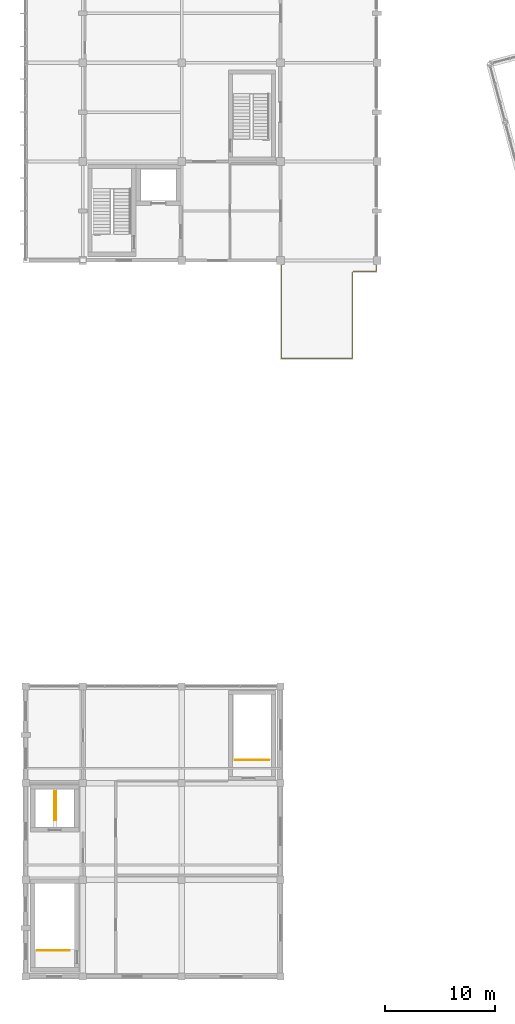
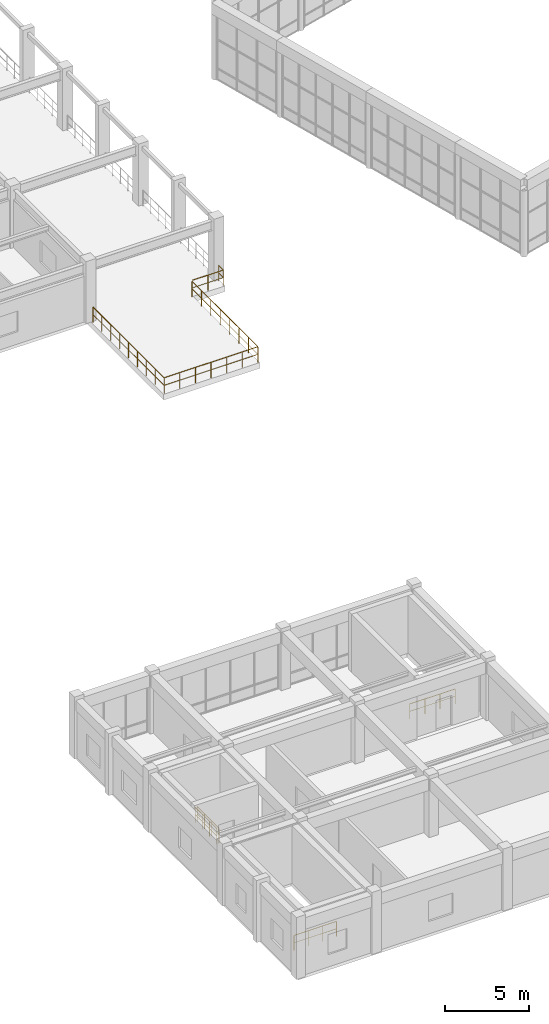
# One storey, part 50 of 55: 5 railings.
"""IFC4 building model written with IfcOpenShell, lengths in metres."""

import ifcopenshell
import ifcopenshell.guid

model = None  # the IFC model being written
_history = None  # IfcOwnerHistory: only IFC2X3 demands one
_inside = {}  # id of a spatial element -> (the spatial element, [elements in it])
_under = {}  # id of a project, library or spatial element -> (it, [spatial elements below it])
_declared = {}  # id of a project -> (the project, [libraries it declares])
_typed = {}  # id of a type object -> (the type object, [elements of that type])
_made_of = {}  # id of a material, layer set ... -> (it, [elements and type objects made of it])


def new_model(schema):
    """Start an empty IFC model of exactly this schema.

    Asked for "IFC4X3", IfcOpenShell would pick the latest addendum, in which some entities
    have other attributes; the version numbers below select the first issue.
    IFC2X3 requires an IfcOwnerHistory on every rooted entity: one is made here for all.
    """
    global model, _history
    if schema == "IFC4X3":
        model = ifcopenshell.file(schema_version=(4, 3, 0, 0))
    else:
        model = ifcopenshell.file(schema=schema)
    _inside.clear()
    _under.clear()
    _declared.clear()
    _typed.clear()
    _made_of.clear()
    _history = None
    if model.schema == "IFC2X3":
        org = make("IfcOrganization", Name="unknown")
        user = make(
            "IfcPersonAndOrganization",
            ThePerson=make("IfcPerson", FamilyName="unknown"),
            TheOrganization=org,
        )
        app = make(
            "IfcApplication",
            ApplicationDeveloper=org,
            Version="unknown",
            ApplicationFullName="unknown",
            ApplicationIdentifier="unknown",
        )
        _history = make(
            "IfcOwnerHistory",
            OwningUser=user,
            OwningApplication=app,
            ChangeAction="ADDED",
            CreationDate=0,
        )
    return model


def make(cls, **values):
    """One entity of the class cls with the attributes given. An attribute that is None is left unset."""
    return model.create_entity(
        cls, **{name: value for name, value in values.items() if value is not None}
    )


def rooted(cls, **values):
    """An entity with a GlobalId (a new one), such as an element, a storey or a relation."""
    return make(cls, GlobalId=ifcopenshell.guid.new(), OwnerHistory=_history, **values)


def si_unit(unit_type, name, prefix=None):
    """IfcSIUnit, for example si_unit("LENGTHUNIT", "METRE", prefix="MILLI")."""
    return make("IfcSIUnit", UnitType=unit_type, Prefix=prefix, Name=name)


def assignment(units):
    """IfcUnitAssignment: the units of a project."""
    return None if units is None else make("IfcUnitAssignment", Units=units)


def point(xyz):
    """IfcCartesianPoint."""
    return None if xyz is None else make("IfcCartesianPoint", Coordinates=xyz)


def direction(xyz):
    """IfcDirection."""
    return None if xyz is None else make("IfcDirection", DirectionRatios=xyz)


def frame(location, z_axis=None, x_axis=None):
    """IfcAxis2Placement3D, a coordinate frame: its origin and axes. An axis left out is left unset."""
    return make(
        "IfcAxis2Placement3D",
        Location=point(location),
        Axis=direction(z_axis),
        RefDirection=direction(x_axis),
    )


def frame_2d(location, x_axis=None):
    """IfcAxis2Placement2D, a coordinate frame in the plane: its origin and x axis."""
    return make(
        "IfcAxis2Placement2D", Location=point(location), RefDirection=direction(x_axis)
    )


def origin():
    """The frame at (0, 0, 0) with its axes left unset."""
    return frame((0.0, 0.0, 0.0))


def origin_2d():
    """The frame at (0, 0) in the plane with its x axis left unset."""
    return frame_2d((0.0, 0.0))


def place(relative_to, where):
    """IfcLocalPlacement: puts the frame where relative to a parent placement (None: the world)."""
    return make(
        "IfcLocalPlacement", PlacementRelTo=relative_to, RelativePlacement=where
    )


def context(
    kind, dimensions, precision=None, world=None, true_north=None, identifier=None
):
    """IfcGeometricRepresentationContext, for example the 3D "Model" context."""
    return make(
        "IfcGeometricRepresentationContext",
        ContextIdentifier=identifier,
        ContextType=kind,
        CoordinateSpaceDimension=dimensions,
        Precision=precision,
        WorldCoordinateSystem=world,
        TrueNorth=true_north,
    )


def subcontext(parent, identifier, kind, view, scale=None):
    """IfcGeometricRepresentationSubContext, for example "Body" below "Model"."""
    return make(
        "IfcGeometricRepresentationSubContext",
        ContextIdentifier=identifier,
        ContextType=kind,
        ParentContext=parent,
        TargetScale=scale,
        TargetView=view,
    )


def project(units=None, contexts=None):
    """IfcProject with its units and contexts."""
    return rooted(
        "IfcProject",
        Name="project",
        RepresentationContexts=contexts,
        UnitsInContext=assignment(units),
    )


def spatial(cls, under=None, at=None, **own):
    """A site, building, storey or space (cls), placed at a placement, below another one or the project."""
    s = rooted(cls, ObjectPlacement=at, **own)
    if under is not None:
        _under.setdefault(under.id(), (under, []))[1].append(s)
    return s


def profile(cls, at=None, kind="AREA", **sizes):
    """A parametric profile (cls). Its sizes go by their IFC names, for example OverallWidth=200.0."""
    return make(cls, ProfileType=kind, Position=at, **sizes)


def circle(**sizes):
    """IfcCircleProfileDef."""
    return profile("IfcCircleProfileDef", **sizes)


def extrude(swept, where, along, depth):
    """IfcExtrudedAreaSolid: the profile swept, set in the frame where, extruded along a direction by depth."""
    return make(
        "IfcExtrudedAreaSolid",
        SweptArea=swept,
        Position=where,
        ExtrudedDirection=direction(along),
        Depth=depth,
    )


def shape(context_of_items, identifier, shape_type, items):
    """IfcShapeRepresentation: the items that make up one representation, for example the "Body"."""
    return make(
        "IfcShapeRepresentation",
        ContextOfItems=context_of_items,
        RepresentationIdentifier=identifier,
        RepresentationType=shape_type,
        Items=items,
    )


def material(Name=None, Category=None):
    """IfcMaterial."""
    return make("IfcMaterial", Name=Name, Category=Category)


def made_of(thing, what):
    """Note that an element or type object is made of a material, layer set ...; save() writes the relation."""
    if what is not None:
        _made_of.setdefault(what.id(), (what, []))[1].append(thing)
    return thing


def type_object(cls, material=None, **own):
    """A type object (cls), such as IfcWallType, which elements share."""
    return made_of(rooted(cls, **own), material)


def element(
    cls,
    number,
    at=None,
    inside=None,
    cuts=None,
    type_object=None,
    material=None,
    context=None,
    identifier="Body",
    shape_type=None,
    held_by="IfcProductDefinitionShape",
    body=None,
    shapes=None,
    **own,
):
    """One element of the class cls, such as IfcWall. Its Tag is "e" and its number.

    at: its placement. inside: the storey or other place that contains it. cuts: it is an
    opening in that element (IfcRelVoidsElement). A single representation is given by context,
    identifier, shape_type and body (its items); several are given by shapes. held_by: the class
    of the entity that holds the representations. save() writes the other relations.
    """
    e = rooted(cls, Tag="e%d" % number, ObjectPlacement=at, **own)
    if body is not None:
        shapes = [shape(context, identifier, shape_type, body)]
    if shapes is not None:
        e.Representation = make(held_by, Representations=shapes)
    if inside is not None:
        _inside.setdefault(inside.id(), (inside, []))[1].append(e)
    if cuts is not None:
        rooted(
            "IfcRelVoidsElement", RelatingBuildingElement=cuts, RelatedOpeningElement=e
        )
    if type_object is not None:
        _typed.setdefault(type_object.id(), (type_object, []))[1].append(e)
    return made_of(e, material)


def aggregate(whole, parts):
    """IfcRelAggregates: a whole, such as a stair, and the parts it consists of."""
    return rooted("IfcRelAggregates", RelatingObject=whole, RelatedObjects=parts)


def save(model, path):
    """Write the relations noted so far, then the file.

    IfcRelAggregates (storeys below a building ...), IfcRelContainedInSpatialStructure (elements
    in a storey), IfcRelDefinesByType, IfcRelAssociatesMaterial and IfcRelDeclares: one each for
    every whole, place, type object, material and project.
    """
    for whole, parts in _under.values():
        aggregate(whole, parts)
    for where, things in _inside.values():
        rooted(
            "IfcRelContainedInSpatialStructure",
            RelatedElements=things,
            RelatingStructure=where,
        )
    for kind, things in _typed.values():
        rooted("IfcRelDefinesByType", RelatedObjects=things, RelatingType=kind)
    for what, things in _made_of.values():
        rooted("IfcRelAssociatesMaterial", RelatedObjects=things, RelatingMaterial=what)
    for by, libraries in _declared.values():
        rooted("IfcRelDeclares", RelatingContext=by, RelatedDefinitions=libraries)
    model.write(path)


model = new_model("IFC4")

# Units and contexts
model_context = context("Model", 3, precision=1e-05, world=origin(), true_north=direction((0.0, 1.0)))
body_context = subcontext(model_context, "Body", "Model", "MODEL_VIEW")
ifc_project = project(units=[si_unit("LENGTHUNIT", "METRE"), si_unit("AREAUNIT", "SQUARE_METRE"), si_unit("VOLUMEUNIT", "CUBIC_METRE"), si_unit("PLANEANGLEUNIT", "RADIAN"), si_unit("MASSUNIT", "GRAM", prefix="KILO")], contexts=[model_context])

# Site, building, storey
site_placement = place(None, origin())
site = spatial("IfcSite", under=ifc_project, at=site_placement, CompositionType="ELEMENT")
building_placement = place(site_placement, origin())
building = spatial("IfcBuilding", under=site, at=building_placement, Name="Ventoquebrada Cableway Terminal", CompositionType="ELEMENT")
storey_placement = place(building_placement, frame((0.0, 0.0, 14.39990234375)))
storey = spatial("IfcBuildingStorey", under=building, at=storey_placement, Name="L03", CompositionType="ELEMENT", Elevation=14.39990234375)

# Railings
ifc_material = material(Name="Brushed stainless steel Grade 316", Category="steel")
railing_type_1 = type_object("IfcRailingType", Name="RL-GD01", PredefinedType="GUARDRAIL", material=ifc_material)
railing_1_placement = place(storey_placement, frame((22.044921875, 31.510009765625, 0.0)))
element("IfcRailing", 1, at=railing_1_placement, inside=storey, type_object=railing_type_1, Name="Open-edge guardrail GR-E135", PredefinedType="GUARDRAIL", context=body_context, shape_type="SweptSolid", body=[
    extrude(circle(Radius=0.02392578125, at=origin_2d()), frame((0.001953125, 0.0, 1.09619140625), z_axis=(1.0, 0.0, 0.0), x_axis=(0.0, 1.0, 0.0)), (0.0, 0.0, 1.0), 3.106201171875),
    extrude(circle(Radius=0.01611328125, at=origin_2d()), frame((0.001953125, 0.0, 0.56005859375), z_axis=(1.0, 0.0, 0.0), x_axis=(0.0, 1.0, 0.0)), (0.0, 0.0, 1.0), 3.106201171875),
    extrude(circle(Radius=0.02099609375, at=origin_2d()), origin(), (0.0, 0.0, 1.0), 1.072021484375),
    extrude(circle(Radius=0.02099609375, at=origin_2d()), frame((1.03662109375, 0.0, 0.0)), (0.0, 0.0, 1.0), 1.072021484375),
    extrude(circle(Radius=0.02099609375, at=origin_2d()), frame((2.073486328125, 0.0, 0.0)), (0.0, 0.0, 1.0), 1.072021484375),
    extrude(circle(Radius=0.02099609375, at=origin_2d()), frame((3.110107421875, 0.0, 0.0)), (0.0, 0.0, 1.0), 1.072021484375),
])
railing_2_placement = place(storey_placement, frame((4.070068359375, 14.159912109375, 0.0)))
element("IfcRailing", 2, at=railing_2_placement, inside=storey, type_object=railing_type_1, Name="Open-edge guardrail GR-E136", PredefinedType="GUARDRAIL", context=body_context, shape_type="SweptSolid", body=[
    extrude(circle(Radius=0.02392578125, at=origin_2d()), frame((0.001953125, 0.0, 1.09619140625), z_axis=(1.0, 0.0, 0.0), x_axis=(0.0, 1.0, 0.0)), (0.0, 0.0, 1.0), 2.916015625),
    extrude(circle(Radius=0.01611328125, at=origin_2d()), frame((0.001953125, 0.0, 0.56005859375), z_axis=(1.0, 0.0, 0.0), x_axis=(0.0, 1.0, 0.0)), (0.0, 0.0, 1.0), 2.916015625),
    extrude(circle(Radius=0.02099609375, at=origin_2d()), origin(), (0.0, 0.0, 1.0), 1.072021484375),
    extrude(circle(Radius=0.02099609375, at=origin_2d()), frame((0.973388671875, 0.0, 0.0)), (0.0, 0.0, 1.0), 1.072021484375),
    extrude(circle(Radius=0.02099609375, at=origin_2d()), frame((1.946533203125, 0.0, 0.0)), (0.0, 0.0, 1.0), 1.072021484375),
    extrude(circle(Radius=0.02099609375, at=origin_2d()), frame((2.919921875, 0.0, 0.0)), (0.0, 0.0, 1.0), 1.072021484375),
])
railing_3_placement = place(storey_placement, frame((5.77001953125, 28.6298828125, 0.0)))
element("IfcRailing", 3, at=railing_3_placement, inside=storey, type_object=railing_type_1, Name="Open-edge guardrail GR-E137", PredefinedType="GUARDRAIL", context=body_context, shape_type="SweptSolid", body=[
    extrude(circle(Radius=0.02392578125, at=origin_2d()), frame((0.0, -0.001953125, 1.09619140625), z_axis=(0.0, -1.0, 0.0), x_axis=(1.0, 0.0, 0.0)), (0.0, 0.0, 1.0), 2.5849609375),
    extrude(circle(Radius=0.01611328125, at=origin_2d()), frame((0.0, -0.001953125, 0.56005859375), z_axis=(0.0, -1.0, 0.0), x_axis=(1.0, 0.0, 0.0)), (0.0, 0.0, 1.0), 2.5849609375),
    extrude(circle(Radius=0.02099609375, at=origin_2d()), origin(), (0.0, 0.0, 1.0), 1.072021484375),
    extrude(circle(Radius=0.02099609375, at=origin_2d()), frame((0.0, -0.863037109375, 0.0)), (0.0, 0.0, 1.0), 1.072021484375),
    extrude(circle(Radius=0.02099609375, at=origin_2d()), frame((0.0, -1.725830078125, 0.0)), (0.0, 0.0, 1.0), 1.072021484375),
    extrude(circle(Radius=0.02099609375, at=origin_2d()), frame((0.0, -2.5888671875, 0.0)), (0.0, 0.0, 1.0), 1.072021484375),
])
railing_4_placement = place(storey_placement, frame((5.6298828125, 26.049072265625, 0.0)))
element("IfcRailing", 4, at=railing_4_placement, inside=storey, type_object=railing_type_1, Name="Open-edge guardrail GR-E138", PredefinedType="GUARDRAIL", context=body_context, shape_type="SweptSolid", body=[
    extrude(circle(Radius=0.02392578125, at=origin_2d()), frame((0.0, 0.001953125, 1.09619140625), z_axis=(0.0, 1.0, 0.0), x_axis=(-1.0, 0.0, 0.0)), (0.0, 0.0, 1.0), 2.576904296875),
    extrude(circle(Radius=0.01611328125, at=origin_2d()), frame((0.0, 0.001953125, 0.56005859375), z_axis=(0.0, 1.0, 0.0), x_axis=(-1.0, 0.0, 0.0)), (0.0, 0.0, 1.0), 2.576904296875),
    extrude(circle(Radius=0.02099609375, at=origin_2d()), origin(), (0.0, 0.0, 1.0), 1.072021484375),
    extrude(circle(Radius=0.02099609375, at=origin_2d()), frame((0.0, 0.8603515625, 0.0)), (0.0, 0.0, 1.0), 1.072021484375),
    extrude(circle(Radius=0.02099609375, at=origin_2d()), frame((0.0, 1.720458984375, 0.0)), (0.0, 0.0, 1.0), 1.072021484375),
    extrude(circle(Radius=0.02099609375, at=origin_2d()), frame((0.0, 2.580810546875, 0.0)), (0.0, 0.0, 1.0), 1.072021484375),
])
railing_type_2 = type_object("IfcRailingType", Name="RL-GD02", PredefinedType="BALUSTRADE", material=ifc_material)
railing_5_placement = place(storey_placement, frame((34.919921875, 76.556884765625, 0.0)))
element("IfcRailing", 5, at=railing_5_placement, inside=storey, type_object=railing_type_2, Name="Terrace balustrade GR-E132", PredefinedType="BALUSTRADE", context=body_context, shape_type="SweptSolid", body=[
    extrude(circle(Radius=0.02392578125, at=origin_2d()), frame((0.0, -0.001953125, 1.1259765625), z_axis=(0.0, -1.0, 0.0), x_axis=(1.0, 0.0, 0.0)), (0.0, 0.0, 1.0), 0.552978515625),
    extrude(circle(Radius=0.01611328125, at=origin_2d()), frame((0.0, -0.001953125, 0.574951171875), z_axis=(0.0, -1.0, 0.0), x_axis=(1.0, 0.0, 0.0)), (0.0, 0.0, 1.0), 0.552978515625),
    extrude(circle(Radius=0.02392578125, at=origin_2d()), frame((-0.001953125, -0.556884765625, 1.1259765625), z_axis=(-1.0, 0.0, 0.0), x_axis=(0.0, -1.0, 0.0)), (0.0, 0.0, 1.0), 2.097900390625),
    extrude(circle(Radius=0.01611328125, at=origin_2d()), frame((-0.001953125, -0.556884765625, 0.574951171875), z_axis=(-1.0, 0.0, 0.0), x_axis=(0.0, -1.0, 0.0)), (0.0, 0.0, 1.0), 2.097900390625),
    extrude(circle(Radius=0.02392578125, at=origin_2d()), frame((-2.197998046875, -0.638916015625, 1.1259765625), z_axis=(-0.000249128044, -0.999999968968, 0.0), x_axis=(0.999999968968, -0.000249128044, 0.0)), (0.0, 0.0, 1.0), 7.8359375),
    extrude(circle(Radius=0.01611328125, at=origin_2d()), frame((-2.197998046875, -0.638916015625, 0.574951171875), z_axis=(-0.000249128044, -0.999999968968, 0.0), x_axis=(0.999999968968, -0.000249128044, 0.0)), (0.0, 0.0, 1.0), 7.8359375),
    extrude(circle(Radius=0.02392578125, at=origin_2d()), frame((-2.201904296875, -8.476806640625, 1.1259765625), z_axis=(-1.0, 0.0, 0.0), x_axis=(0.0, -1.0, 0.0)), (0.0, 0.0, 1.0), 6.43603515625),
    extrude(circle(Radius=0.01611328125, at=origin_2d()), frame((-2.201904296875, -8.476806640625, 0.574951171875), z_axis=(-1.0, 0.0, 0.0), x_axis=(0.0, -1.0, 0.0)), (0.0, 0.0, 1.0), 6.43603515625),
    extrude(circle(Radius=0.02392578125, at=origin_2d()), frame((-8.639892578125, -8.474853515625, 1.1259765625), z_axis=(0.0, 1.0, 0.0), x_axis=(-1.0, 0.0, 0.0)), (0.0, 0.0, 1.0), 8.472900390625),
    extrude(circle(Radius=0.01611328125, at=origin_2d()), frame((-8.639892578125, -8.474853515625, 0.574951171875), z_axis=(0.0, 1.0, 0.0), x_axis=(-1.0, 0.0, 0.0)), (0.0, 0.0, 1.0), 8.472900390625),
    extrude(circle(Radius=0.02099609375, at=origin_2d()), origin(), (0.0, 0.0, 1.0), 1.101806640625),
    extrude(circle(Radius=0.02099609375, at=origin_2d()), frame((0.0, -0.556884765625, 0.0)), (0.0, 0.0, 1.0), 1.101806640625),
    extrude(circle(Radius=0.02099609375, at=origin_2d()), frame((-1.05078125, -0.556884765625, 0.0)), (0.0, 0.0, 1.0), 1.101806640625),
    extrude(circle(Radius=0.02099609375, at=origin_2d()), frame((-2.197998046875, -0.636962890625, 0.0)), (0.0, 0.0, 1.0), 1.101806640625),
    extrude(circle(Radius=0.02099609375, at=origin_2d()), frame((-2.1982421875, -1.7568359375, 0.0)), (0.0, 0.0, 1.0), 1.101806640625),
    extrude(circle(Radius=0.02099609375, at=origin_2d()), frame((-2.198486328125, -2.876953125, 0.0)), (0.0, 0.0, 1.0), 1.101806640625),
    extrude(circle(Radius=0.02099609375, at=origin_2d()), frame((-2.19873046875, -3.996826171875, 0.0)), (0.0, 0.0, 1.0), 1.101806640625),
    extrude(circle(Radius=0.02099609375, at=origin_2d()), frame((-2.19921875, -5.116943359375, 0.0)), (0.0, 0.0, 1.0), 1.101806640625),
    extrude(circle(Radius=0.02099609375, at=origin_2d()), frame((-2.199462890625, -6.23681640625, 0.0)), (0.0, 0.0, 1.0), 1.101806640625),
    extrude(circle(Radius=0.02099609375, at=origin_2d()), frame((-2.19970703125, -7.35693359375, 0.0)), (0.0, 0.0, 1.0), 1.101806640625),
    extrude(circle(Radius=0.02099609375, at=origin_2d()), frame((-2.199951171875, -8.476806640625, 0.0)), (0.0, 0.0, 1.0), 1.101806640625),
    extrude(circle(Radius=0.02099609375, at=origin_2d()), frame((-3.273193359375, -8.476806640625, 0.0)), (0.0, 0.0, 1.0), 1.101806640625),
    extrude(circle(Radius=0.02099609375, at=origin_2d()), frame((-4.3466796875, -8.476806640625, 0.0)), (0.0, 0.0, 1.0), 1.101806640625),
    extrude(circle(Radius=0.02099609375, at=origin_2d()), frame((-5.419921875, -8.476806640625, 0.0)), (0.0, 0.0, 1.0), 1.101806640625),
    extrude(circle(Radius=0.02099609375, at=origin_2d()), frame((-6.4931640625, -8.476806640625, 0.0)), (0.0, 0.0, 1.0), 1.101806640625),
    extrude(circle(Radius=0.02099609375, at=origin_2d()), frame((-7.566650390625, -8.476806640625, 0.0)), (0.0, 0.0, 1.0), 1.101806640625),
    extrude(circle(Radius=0.02099609375, at=origin_2d()), frame((-8.639892578125, -8.476806640625, 0.0)), (0.0, 0.0, 1.0), 1.101806640625),
    extrude(circle(Radius=0.02099609375, at=origin_2d()), frame((-8.639892578125, -7.417236328125, 0.0)), (0.0, 0.0, 1.0), 1.101806640625),
    extrude(circle(Radius=0.02099609375, at=origin_2d()), frame((-8.639892578125, -6.357666015625, 0.0)), (0.0, 0.0, 1.0), 1.101806640625),
    extrude(circle(Radius=0.02099609375, at=origin_2d()), frame((-8.639892578125, -5.298095703125, 0.0)), (0.0, 0.0, 1.0), 1.101806640625),
    extrude(circle(Radius=0.02099609375, at=origin_2d()), frame((-8.639892578125, -4.23828125, 0.0)), (0.0, 0.0, 1.0), 1.101806640625),
    extrude(circle(Radius=0.02099609375, at=origin_2d()), frame((-8.639892578125, -3.1787109375, 0.0)), (0.0, 0.0, 1.0), 1.101806640625),
    extrude(circle(Radius=0.02099609375, at=origin_2d()), frame((-8.639892578125, -2.119140625, 0.0)), (0.0, 0.0, 1.0), 1.101806640625),
    extrude(circle(Radius=0.02099609375, at=origin_2d()), frame((-8.639892578125, -1.0595703125, 0.0)), (0.0, 0.0, 1.0), 1.101806640625),
    extrude(circle(Radius=0.02099609375, at=origin_2d()), frame((-8.639892578125, 0.0, 0.0)), (0.0, 0.0, 1.0), 1.101806640625),
])

save(model, "model.ifc")
